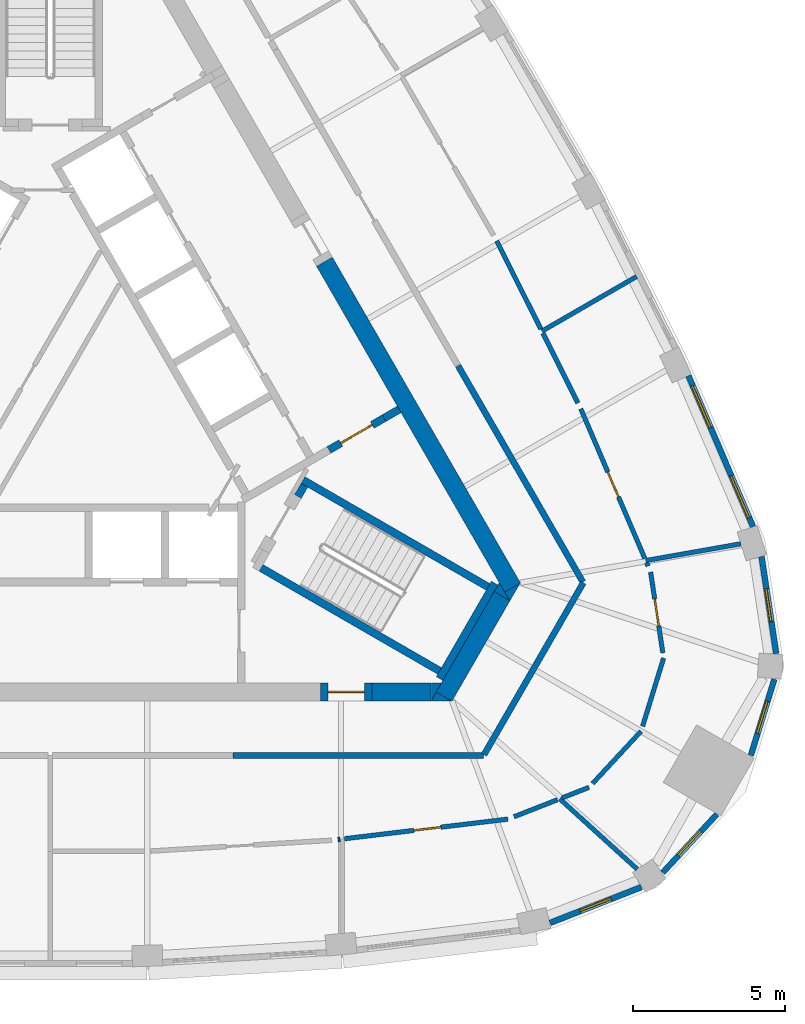
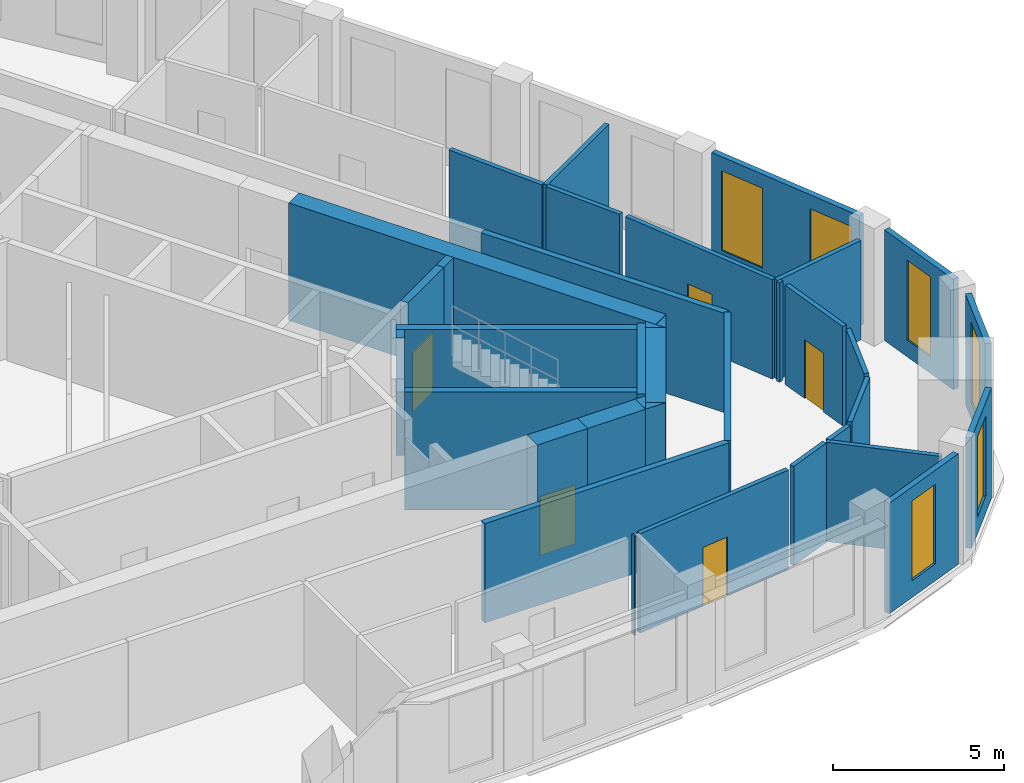
# One storey, part 7 of 10: 36 walls, 6 windows, 5 doors, 11 openings.
"""IFC4 building model written with IfcOpenShell, lengths in metres."""

from ifc_helpers import new_model, si_unit, direction, frame, frame_2d, origin, place, context, subcontext, project, spatial, polyline, rectangle, outline, extrude, material, layer, layer_set, type_object, element, fill, save


model = new_model("IFC4")

# Units and contexts
model_context = context("Model", 3, precision=1e-05, world=origin(), true_north=direction((0.0, 1.0)))
body_context = subcontext(model_context, "Body", "Model", "MODEL_VIEW")
ifc_project = project(units=[si_unit("LENGTHUNIT", "METRE"), si_unit("AREAUNIT", "SQUARE_METRE"), si_unit("VOLUMEUNIT", "CUBIC_METRE"), si_unit("PLANEANGLEUNIT", "RADIAN"), si_unit("MASSUNIT", "GRAM", prefix="KILO")], contexts=[model_context])

# Site, building, storey
site_placement = place(None, origin())
site = spatial("IfcSite", under=ifc_project, at=site_placement, CompositionType="ELEMENT")
building_placement = place(site_placement, origin())
building = spatial("IfcBuilding", under=site, at=building_placement, Name="Mestral Congress Tower", CompositionType="ELEMENT")
storey_placement = place(building_placement, frame((0.0, 0.0, 300.60009765625)))
storey = spatial("IfcBuildingStorey", under=building, at=storey_placement, Name="L70", CompositionType="ELEMENT", Elevation=300.60009765625)

# Walls
ifc_material_1 = material(Name="Concrete C60/75", Category="concrete")
ifc_layer_1 = layer(ifc_material_1, 0.60009765625)
ifc_layer_set_1 = layer_set([ifc_layer_1], Name="Concrete C60/75")
wall_type_1 = type_object("IfcWallType", Name="Core wall RC 600", PredefinedType="SOLIDWALL", material=ifc_layer_set_1)
wall_1_placement = place(storey_placement, frame((9.0419921875, 4.23876953125, 0.0), z_axis=(0.0, 0.0, 1.0), x_axis=(0.500005785455, -0.866022063525, 0.0)))
element("IfcWall", 1, at=wall_1_placement, inside=storey, type_object=wall_type_1, Name="L70 core wall", PredefinedType="SOLIDWALL", context=body_context, shape_type="SweptSolid", body=[
    extrude(rectangle(XDim=12.406494140625, YDim=0.60009765625, at=frame_2d((6.203125, 0.0))), origin(), (0.0, 0.0, 1.0), 4.199951171875),
])
placement = place(storey_placement, origin())
element("IfcWall", 2, at=placement, inside=storey, type_object=wall_type_1, Name="L70 core wall", PredefinedType="SOLIDWALL", context=body_context, shape_type="SweptSolid", body=[
    extrude(outline(polyline([(15.155517578125, -6.949951171875), (14.986572265625, -6.6572265625), (15.493408203125, -6.364501953125), (15.155517578125, -6.949951171875)])), origin(), (0.0, 0.0, 1.0), 4.199951171875),
])
wall_3_placement = place(storey_placement, frame((12.9873046875, -10.105712890625, 0.0), z_axis=(0.0, 0.0, 1.0), x_axis=(0.499950938802, 0.866053727428, 0.0)))
element("IfcWall", 3, at=wall_3_placement, inside=storey, type_object=wall_type_1, Name="L70 core wall", PredefinedType="SOLIDWALL", context=body_context, shape_type="SweptSolid", body=[
    extrude(rectangle(XDim=3.8232421875, YDim=0.60009765625, at=frame_2d((1.91162109375, 0.0))), origin(), (0.0, 0.0, 1.0), 4.199951171875),
])
element("IfcWall", 4, at=placement, inside=storey, type_object=wall_type_1, Name="L70 core wall", PredefinedType="SOLIDWALL", context=body_context, shape_type="SweptSolid", body=[
    extrude(outline(polyline([(12.726318359375, -9.957275390625), (13.2333984375, -10.25), (12.557373046875, -10.25), (12.726318359375, -9.957275390625)])), origin(), (0.0, 0.0, 1.0), 4.199951171875),
])
element("IfcWall", 5, at=placement, inside=storey, type_object=wall_type_1, Name="L70 core wall", PredefinedType="SOLIDWALL", context=body_context, shape_type="SweptSolid", body=[
    extrude(outline(polyline([(14.80908203125, -6.35009765625), (15.147216796875, -6.935791015625), (14.639892578125, -6.642822265625), (14.80908203125, -6.35009765625)])), origin(), (0.0, 0.0, 1.0), 4.199951171875),
])
wall_6_placement = place(storey_placement, frame((10.6044921875, -9.949951171875, 0.0), z_axis=(0.0, 0.0, 1.0), x_axis=(1.0, 0.0, 0.0)))
element("IfcWall", 6, at=wall_6_placement, inside=storey, type_object=wall_type_1, Name="L70 core wall", PredefinedType="SOLIDWALL", context=body_context, shape_type="SweptSolid", body=[
    extrude(rectangle(XDim=1.959228515625, YDim=0.60009765625, at=frame_2d((0.9794921875, 0.0))), origin(), (0.0, 0.0, 1.0), 4.199951171875),
])
element("IfcWall", 7, at=placement, inside=storey, type_object=wall_type_1, Name="L70 core wall", PredefinedType="SOLIDWALL", context=body_context, shape_type="SweptSolid", body=[
    extrude(outline(polyline([(12.90380859375, -9.64990234375), (12.56591796875, -10.235595703125), (12.56591796875, -9.64990234375), (12.90380859375, -9.64990234375)])), origin(), (0.0, 0.0, 1.0), 4.199951171875),
])

# Wall, opening, door
wall_8_placement = place(storey_placement, frame((10.6044921875, -9.949951171875, 0.0), z_axis=(0.0, 0.0, 1.0), x_axis=(-1.0, 0.0, 0.0)))
wall_8 = element("IfcWall", 8, at=wall_8_placement, inside=storey, type_object=wall_type_1, Name="L70 door wall", PredefinedType="SOLIDWALL", context=body_context, shape_type="SweptSolid", body=[
    extrude(rectangle(XDim=1.699951171875, YDim=0.60009765625, at=frame_2d((0.85009765625, 0.0))), origin(), (0.0, 0.0, 1.0), 4.199951171875),
])
opening_1_placement = place(wall_8_placement, frame((0.25, 0.0, 0.0)))
opening_1 = element("IfcOpeningElement", 9, at=opening_1_placement, cuts=wall_8, Name="Opening XD1", PredefinedType="OPENING", context=body_context, shape_type="SweptSolid", body=[
    extrude(rectangle(XDim=1.199951171875, YDim=2.10009765625, at=frame_2d((0.60009765625, 1.050048828125))), frame((0.0, 0.31005859375, 0.0), z_axis=(0.0, -1.0, 0.0), x_axis=(1.0, 0.0, 0.0)), (0.0, 0.0, 1.0), 0.6201171875),
])
ifc_material_2 = material(Name="Fire-rated steel door set", Category="steel")
door_type_1 = type_object("IfcDoorType", Name="Core door XD 1200x2100", OperationType="SINGLE_SWING_LEFT", PredefinedType="DOOR", material=ifc_material_2)
door_1_placement = place(opening_1_placement, origin())
door_1 = element("IfcDoor", 10, at=door_1_placement, inside=storey, type_object=door_type_1, Name="Door XD1", OperationType="SINGLE_SWING_LEFT", OverallHeight=2.10009765625, OverallWidth=1.199951171875, PredefinedType="DOOR", context=body_context, shape_type="SweptSolid", body=[
    extrude(rectangle(XDim=1.199951171875, YDim=2.10009765625, at=frame_2d((0.60009765625, 1.050048828125))), frame((0.0, 0.02490234375, 0.0), z_axis=(0.0, -1.0, 0.0), x_axis=(1.0, 0.0, 0.0)), (0.0, 0.0, 1.0), 0.050048828125),
])
fill(opening_1, door_1)

# Wall, opening, window
ifc_material_3 = material(Name="Precast concrete C40/50 with limestone facing", Category="masonry")
ifc_layer_2 = layer(ifc_material_3, 0.18994140625)
ifc_layer_set_2 = layer_set([ifc_layer_2], Name="Precast concrete C40/50 with limestone facing")
wall_type_2 = type_object("IfcWallType", Name="Facade stone wall 190", PredefinedType="SOLIDWALL", material=ifc_layer_set_2)
wall_9_placement = place(storey_placement, frame((16.48291015625, -17.572998046875, 0.0), z_axis=(0.0, 0.0, 1.0), x_axis=(0.93100888477, 0.364996515709, 0.0)))
wall_9 = element("IfcWall", 11, at=wall_9_placement, inside=storey, type_object=wall_type_2, Name="Facade wall K0-0", PredefinedType="SOLIDWALL", context=body_context, shape_type="SweptSolid", body=[
    extrude(rectangle(XDim=3.23681640625, YDim=0.18994140625, at=frame_2d((1.618408203125, 0.0))), origin(), (0.0, 0.0, 1.0), 3.949951171875),
])
opening_2_placement = place(wall_9_placement, frame((1.068359375, 0.0, 0.60009765625)))
opening_2 = element("IfcOpeningElement", 12, at=opening_2_placement, cuts=wall_9, Name="Opening W7", PredefinedType="OPENING", context=body_context, shape_type="SweptSolid", body=[
    extrude(rectangle(XDim=1.10009765625, YDim=2.85009765625, at=frame_2d((0.550048828125, 1.425048828125))), frame((0.0, 0.10498046875, 0.0), z_axis=(0.0, -1.0, 0.0), x_axis=(1.0, 0.0, 0.0)), (0.0, 0.0, 1.0), 0.2099609375),
])
ifc_material_4 = material(Name="Clear low-emissivity double glazing", Category="glass")
window_type_1 = type_object("IfcWindowType", Name="Facade punched window 1100 x 2850 sill 600", PartitioningType="SINGLE_PANEL", PredefinedType="WINDOW", material=ifc_material_4)
window_1_placement = place(opening_2_placement, origin())
window_1 = element("IfcWindow", 13, at=window_1_placement, inside=storey, type_object=window_type_1, Name="Window K0-0", OverallHeight=2.85009765625, OverallWidth=1.10009765625, PartitioningType="SINGLE_PANEL", PredefinedType="WINDOW", context=body_context, shape_type="SweptSolid", body=[
    extrude(rectangle(XDim=1.10009765625, YDim=2.85009765625, at=frame_2d((0.550048828125, 1.425048828125))), frame((0.0, 0.044921875, 0.0), z_axis=(0.0, -1.0, 0.0), x_axis=(1.0, 0.0, 0.0)), (0.0, 0.0, 1.0), 0.06005859375),
])
fill(opening_2, window_1)

wall_10_placement = place(storey_placement, frame((20.197998046875, -15.91357421875, 0.0), z_axis=(0.0, 0.0, 1.0), x_axis=(0.680219354823, 0.733008614768, 0.0)))
wall_10 = element("IfcWall", 14, at=wall_10_placement, inside=storey, type_object=wall_type_2, Name="Facade wall K0-1", PredefinedType="SOLIDWALL", context=body_context, shape_type="SweptSolid", body=[
    extrude(rectangle(XDim=2.626953125, YDim=0.18994140625, at=frame_2d((1.3134765625, 0.0))), origin(), (0.0, 0.0, 1.0), 3.949951171875),
])
opening_3_placement = place(wall_10_placement, frame((0.763427734375, 0.0, 0.60009765625)))
opening_3 = element("IfcOpeningElement", 15, at=opening_3_placement, cuts=wall_10, Name="Opening W7", PredefinedType="OPENING", context=body_context, shape_type="SweptSolid", body=[
    extrude(rectangle(XDim=1.10009765625, YDim=2.85009765625, at=frame_2d((0.550048828125, 1.425048828125))), frame((0.0, 0.10498046875, 0.0), z_axis=(0.0, -1.0, 0.0), x_axis=(1.0, 0.0, 0.0)), (0.0, 0.0, 1.0), 0.2099609375),
])
window_2_placement = place(opening_3_placement, origin())
window_2 = element("IfcWindow", 16, at=window_2_placement, inside=storey, type_object=window_type_1, Name="Window K0-1", OverallHeight=2.85009765625, OverallWidth=1.10009765625, PartitioningType="SINGLE_PANEL", PredefinedType="WINDOW", context=body_context, shape_type="SweptSolid", body=[
    extrude(rectangle(XDim=1.10009765625, YDim=2.85009765625, at=frame_2d((0.550048828125, 1.425048828125))), frame((0.0, 0.044921875, 0.0), z_axis=(0.0, -1.0, 0.0), x_axis=(1.0, 0.0, 0.0)), (0.0, 0.0, 1.0), 0.06005859375),
])
fill(opening_3, window_2)

wall_11_placement = place(storey_placement, frame((23.1064453125, -12.04541015625, 0.0), z_axis=(0.0, 0.0, 1.0), x_axis=(0.294706210429, 0.9555879078, 0.0)))
wall_11 = element("IfcWall", 17, at=wall_11_placement, inside=storey, type_object=wall_type_2, Name="Facade wall K0-2", PredefinedType="SOLIDWALL", context=body_context, shape_type="SweptSolid", body=[
    extrude(rectangle(XDim=2.626953125, YDim=0.18994140625, at=frame_2d((1.3134765625, 0.0))), origin(), (0.0, 0.0, 1.0), 3.949951171875),
])
opening_4_placement = place(wall_11_placement, frame((0.763427734375, 0.0, 0.60009765625)))
opening_4 = element("IfcOpeningElement", 18, at=opening_4_placement, cuts=wall_11, Name="Opening W7", PredefinedType="OPENING", context=body_context, shape_type="SweptSolid", body=[
    extrude(rectangle(XDim=1.10009765625, YDim=2.85009765625, at=frame_2d((0.550048828125, 1.425048828125))), frame((0.0, 0.10498046875, 0.0), z_axis=(0.0, -1.0, 0.0), x_axis=(1.0, 0.0, 0.0)), (0.0, 0.0, 1.0), 0.2099609375),
])
window_3_placement = place(opening_4_placement, origin())
window_3 = element("IfcWindow", 19, at=window_3_placement, inside=storey, type_object=window_type_1, Name="Window K0-2", OverallHeight=2.85009765625, OverallWidth=1.10009765625, PartitioningType="SINGLE_PANEL", PredefinedType="WINDOW", context=body_context, shape_type="SweptSolid", body=[
    extrude(rectangle(XDim=1.10009765625, YDim=2.85009765625, at=frame_2d((0.550048828125, 1.425048828125))), frame((0.0, 0.044921875, 0.0), z_axis=(0.0, -1.0, 0.0), x_axis=(1.0, 0.0, 0.0)), (0.0, 0.0, 1.0), 0.06005859375),
])
fill(opening_4, window_3)

wall_12_placement = place(storey_placement, frame((23.94384765625, -8.6884765625, 0.0), z_axis=(0.0, 0.0, 1.0), x_axis=(-0.149421055602, 0.988773658702, 0.0)))
wall_12 = element("IfcWall", 20, at=wall_12_placement, inside=storey, type_object=wall_type_2, Name="Facade wall K0-3", PredefinedType="SOLIDWALL", context=body_context, shape_type="SweptSolid", body=[
    extrude(rectangle(XDim=3.23681640625, YDim=0.18994140625, at=frame_2d((1.618408203125, 0.0))), origin(), (0.0, 0.0, 1.0), 3.949951171875),
])
opening_5_placement = place(wall_12_placement, frame((1.068359375, 0.0, 0.60009765625)))
opening_5 = element("IfcOpeningElement", 21, at=opening_5_placement, cuts=wall_12, Name="Opening W7", PredefinedType="OPENING", context=body_context, shape_type="SweptSolid", body=[
    extrude(rectangle(XDim=1.10009765625, YDim=2.85009765625, at=frame_2d((0.550048828125, 1.425048828125))), frame((0.0, 0.10498046875, 0.0), z_axis=(0.0, -1.0, 0.0), x_axis=(1.0, 0.0, 0.0)), (0.0, 0.0, 1.0), 0.2099609375),
])
window_4_placement = place(opening_5_placement, origin())
window_4 = element("IfcWindow", 22, at=window_4_placement, inside=storey, type_object=window_type_1, Name="Window K0-3", OverallHeight=2.85009765625, OverallWidth=1.10009765625, PartitioningType="SINGLE_PANEL", PredefinedType="WINDOW", context=body_context, shape_type="SweptSolid", body=[
    extrude(rectangle(XDim=1.10009765625, YDim=2.85009765625, at=frame_2d((0.550048828125, 1.425048828125))), frame((0.0, 0.044921875, 0.0), z_axis=(0.0, -1.0, 0.0), x_axis=(1.0, 0.0, 0.0)), (0.0, 0.0, 1.0), 0.06005859375),
])
fill(opening_5, window_4)

# Wall, openings, windows
wall_13_placement = place(storey_placement, frame((23.1787109375, -4.50048828125, 0.0), z_axis=(0.0, 0.0, 1.0), x_axis=(-0.393347848476, 0.919389726992, 0.0)))
wall_13 = element("IfcWall", 23, at=wall_13_placement, inside=storey, type_object=wall_type_2, Name="Facade wall F1-00", PredefinedType="SOLIDWALL", context=body_context, shape_type="SweptSolid", body=[
    extrude(rectangle(XDim=5.414794921875, YDim=0.18994140625, at=frame_2d((2.70751953125, 0.0))), origin(), (0.0, 0.0, 1.0), 3.949951171875),
])
opening_6_placement = place(wall_13_placement, frame((0.322509765625, 0.0, 0.60009765625)))
opening_6 = element("IfcOpeningElement", 24, at=opening_6_placement, cuts=wall_13, Name="Opening W6", PredefinedType="OPENING", context=body_context, shape_type="SweptSolid", body=[
    extrude(rectangle(XDim=1.5, YDim=2.85009765625, at=frame_2d((0.75, 1.425048828125))), frame((0.0, 0.10498046875, 0.0), z_axis=(0.0, -1.0, 0.0), x_axis=(1.0, 0.0, 0.0)), (0.0, 0.0, 1.0), 0.2099609375),
])
opening_7_placement = place(wall_13_placement, frame((3.5576171875, 0.0, 0.60009765625)))
opening_7 = element("IfcOpeningElement", 25, at=opening_7_placement, cuts=wall_13, Name="Opening W6", PredefinedType="OPENING", context=body_context, shape_type="SweptSolid", body=[
    extrude(rectangle(XDim=1.5, YDim=2.85009765625, at=frame_2d((0.75, 1.425048828125))), frame((0.0, 0.10498046875, 0.0), z_axis=(0.0, -1.0, 0.0), x_axis=(1.0, 0.0, 0.0)), (0.0, 0.0, 1.0), 0.2099609375),
])
window_type_2 = type_object("IfcWindowType", Name="Facade punched window 1500 x 2850 sill 600", PartitioningType="SINGLE_PANEL", PredefinedType="WINDOW", material=ifc_material_4)
window_5_placement = place(opening_6_placement, origin())
window_5 = element("IfcWindow", 26, at=window_5_placement, inside=storey, type_object=window_type_2, Name="Window F1-00a", OverallHeight=2.85009765625, OverallWidth=1.5, PartitioningType="SINGLE_PANEL", PredefinedType="WINDOW", context=body_context, shape_type="SweptSolid", body=[
    extrude(rectangle(XDim=1.5, YDim=2.85009765625, at=frame_2d((0.75, 1.425048828125))), frame((0.0, 0.044921875, 0.0), z_axis=(0.0, -1.0, 0.0), x_axis=(1.0, 0.0, 0.0)), (0.0, 0.0, 1.0), 0.06005859375),
])
fill(opening_6, window_5)
window_6_placement = place(opening_7_placement, origin())
window_6 = element("IfcWindow", 27, at=window_6_placement, inside=storey, type_object=window_type_2, Name="Window F1-00b", OverallHeight=2.85009765625, OverallWidth=1.5, PartitioningType="SINGLE_PANEL", PredefinedType="WINDOW", context=body_context, shape_type="SweptSolid", body=[
    extrude(rectangle(XDim=1.5, YDim=2.85009765625, at=frame_2d((0.75, 1.425048828125))), frame((0.0, 0.044921875, 0.0), z_axis=(0.0, -1.0, 0.0), x_axis=(1.0, 0.0, 0.0)), (0.0, 0.0, 1.0), 0.06005859375),
])
fill(opening_7, window_6)

# Walls
ifc_material_5 = material(Name="Plasterboard partition on steel studs", Category="steel")
ifc_layer_3 = layer(ifc_material_5, 0.14990234375)
ifc_layer_set_3 = layer_set([ifc_layer_3], Name="Plasterboard partition on steel studs")
wall_type_3 = type_object("IfcWallType", Name="Office partition 150", PredefinedType="PARTITIONING", material=ifc_layer_set_3)
wall_14_placement = place(storey_placement, frame((9.492431640625, -14.8203125, 0.0), z_axis=(0.0, 0.0, 1.0), x_axis=(0.993123019804, 0.117075477944, 0.0)))
element("IfcWall", 28, at=wall_14_placement, inside=storey, type_object=wall_type_3, Name="Partition", PredefinedType="PARTITIONING", context=body_context, shape_type="SweptSolid", body=[
    extrude(rectangle(XDim=0.060546875, YDim=0.14990234375, at=frame_2d((0.0302734375, 0.0))), origin(), (0.0, 0.0, 1.0), 3.5498046875),
])
wall_15_placement = place(storey_placement, frame((16.802734375, -13.47900390625, 0.0), z_axis=(0.0, 0.0, 1.0), x_axis=(0.740052004703, -0.672549648974, 0.0)))
element("IfcWall", 29, at=wall_15_placement, inside=storey, type_object=wall_type_3, Name="Partition", PredefinedType="PARTITIONING", context=body_context, shape_type="SweptSolid", body=[
    extrude(rectangle(XDim=3.4541015625, YDim=0.14990234375, at=frame_2d((1.72705078125, 0.0))), origin(), (0.0, 0.0, 1.0), 3.5498046875),
])

# Wall, opening, door
wall_16_placement = place(storey_placement, frame((15.094482421875, -14.148681640625, 0.0), z_axis=(0.0, 0.0, 1.0), x_axis=(-0.992889171133, -0.119042403566, 0.0)))
wall_16 = element("IfcWall", 30, at=wall_16_placement, inside=storey, type_object=wall_type_3, Name="Partition", PredefinedType="PARTITIONING", context=body_context, shape_type="SweptSolid", body=[
    extrude(rectangle(XDim=5.4306640625, YDim=0.14990234375, at=frame_2d((2.71533203125, 0.0))), origin(), (0.0, 0.0, 1.0), 3.5498046875),
])
opening_8_placement = place(wall_16_placement, frame((2.230712890625, 0.0, 0.0)))
opening_8 = element("IfcOpeningElement", 31, at=opening_8_placement, cuts=wall_16, Name="Opening O13-003", PredefinedType="OPENING", context=body_context, shape_type="SweptSolid", body=[
    extrude(rectangle(XDim=0.89990234375, YDim=2.10009765625, at=frame_2d((0.449951171875, 1.050048828125))), frame((0.0, 0.0849609375, 0.0), z_axis=(0.0, -1.0, 0.0), x_axis=(1.0, 0.0, 0.0)), (0.0, 0.0, 1.0), 0.169921875),
])
ifc_material_6 = material(Name="Timber door set", Category="wood")
door_type_2 = type_object("IfcDoorType", Name="Office door 900x2100", OperationType="SINGLE_SWING_LEFT", PredefinedType="DOOR", material=ifc_material_6)
door_2_placement = place(opening_8_placement, origin())
door_2 = element("IfcDoor", 32, at=door_2_placement, inside=storey, type_object=door_type_2, Name="Door O13-003", OperationType="SINGLE_SWING_LEFT", OverallHeight=2.10009765625, OverallWidth=0.89990234375, PredefinedType="DOOR", context=body_context, shape_type="SweptSolid", body=[
    extrude(rectangle(XDim=0.89990234375, YDim=2.10009765625, at=frame_2d((0.449951171875, 1.050048828125))), frame((0.0, 0.02490234375, 0.0), z_axis=(0.0, -1.0, 0.0), x_axis=(1.0, 0.0, 0.0)), (0.0, 0.0, 1.0), 0.050048828125),
])
fill(opening_8, door_2)

# Walls
wall_17_placement = place(storey_placement, frame((15.2939453125, -14.070556640625, 0.0), z_axis=(0.0, 0.0, 1.0), x_axis=(0.930996486245, 0.365028139463, 0.0)))
element("IfcWall", 33, at=wall_17_placement, inside=storey, type_object=wall_type_3, Name="Partition", PredefinedType="PARTITIONING", context=body_context, shape_type="SweptSolid", body=[
    extrude(rectangle(XDim=1.536865234375, YDim=0.14990234375, at=frame_2d((0.7685546875, 0.0))), origin(), (0.0, 0.0, 1.0), 3.5498046875),
])
wall_18_placement = place(storey_placement, frame((19.638671875, -5.61962890625, 0.0), z_axis=(0.0, 0.0, 1.0), x_axis=(0.984765028635, 0.173890305586, 0.0)))
element("IfcWall", 34, at=wall_18_placement, inside=storey, type_object=wall_type_3, Name="Partition", PredefinedType="PARTITIONING", context=body_context, shape_type="SweptSolid", body=[
    extrude(rectangle(XDim=3.184326171875, YDim=0.14990234375, at=frame_2d((1.59228515625, 0.0))), origin(), (0.0, 0.0, 1.0), 3.5498046875),
])
wall_19_placement = place(storey_placement, frame((16.880615234375, -13.448486328125, 0.0), z_axis=(0.0, 0.0, 1.0), x_axis=(0.930913400557, 0.365239976815, 0.0)))
element("IfcWall", 35, at=wall_19_placement, inside=storey, type_object=wall_type_3, Name="Partition", PredefinedType="PARTITIONING", context=body_context, shape_type="SweptSolid", body=[
    extrude(rectangle(XDim=0.95263671875, YDim=0.14990234375, at=frame_2d((0.476318359375, 0.0))), origin(), (0.0, 0.0, 1.0), 3.5498046875),
])
wall_20_placement = place(storey_placement, frame((17.885009765625, -12.97412109375, 0.0), z_axis=(0.0, 0.0, 1.0), x_axis=(0.680200271904, 0.733026322926, 0.0)))
element("IfcWall", 36, at=wall_20_placement, inside=storey, type_object=wall_type_3, Name="Partition", PredefinedType="PARTITIONING", context=body_context, shape_type="SweptSolid", body=[
    extrude(rectangle(XDim=2.352294921875, YDim=0.14990234375, at=frame_2d((1.17626953125, 0.0))), origin(), (0.0, 0.0, 1.0), 3.5498046875),
])
wall_21_placement = place(storey_placement, frame((19.5361328125, -11.084716796875, 0.0), z_axis=(0.0, 0.0, 1.0), x_axis=(0.294632751805, 0.955610559571, 0.0)))
element("IfcWall", 37, at=wall_21_placement, inside=storey, type_object=wall_type_3, Name="Partition", PredefinedType="PARTITIONING", context=body_context, shape_type="SweptSolid", body=[
    extrude(rectangle(XDim=2.3525390625, YDim=0.14990234375, at=frame_2d((1.17626953125, 0.0))), origin(), (0.0, 0.0, 1.0), 3.5498046875),
])

# Wall, opening, door
wall_22_placement = place(storey_placement, frame((19.80029296875, -5.997802734375, 0.0), z_axis=(0.0, 0.0, 1.0), x_axis=(0.149384554916, -0.988779173907, 0.0)))
wall_22 = element("IfcWall", 38, at=wall_22_placement, inside=storey, type_object=wall_type_3, Name="Partition", PredefinedType="PARTITIONING", context=body_context, shape_type="SweptSolid", body=[
    extrude(rectangle(XDim=2.6982421875, YDim=0.14990234375, at=frame_2d((1.34912109375, 0.0))), origin(), (0.0, 0.0, 1.0), 3.5498046875),
])
opening_9_placement = place(wall_22_placement, frame((0.898193359375, 0.0, 0.0)))
opening_9 = element("IfcOpeningElement", 39, at=opening_9_placement, cuts=wall_22, Name="Opening O13-004", PredefinedType="OPENING", context=body_context, shape_type="SweptSolid", body=[
    extrude(rectangle(XDim=0.89990234375, YDim=2.10009765625, at=frame_2d((0.449951171875, 1.050048828125))), frame((0.0, 0.0849609375, 0.0), z_axis=(0.0, -1.0, 0.0), x_axis=(1.0, 0.0, 0.0)), (0.0, 0.0, 1.0), 0.169921875),
])
door_3_placement = place(opening_9_placement, origin())
door_3 = element("IfcDoor", 40, at=door_3_placement, inside=storey, type_object=door_type_2, Name="Door O13-004", OperationType="SINGLE_SWING_LEFT", OverallHeight=2.10009765625, OverallWidth=0.89990234375, PredefinedType="DOOR", context=body_context, shape_type="SweptSolid", body=[
    extrude(rectangle(XDim=0.89990234375, YDim=2.10009765625, at=frame_2d((0.449951171875, 1.050048828125))), frame((0.0, 0.02490234375, 0.0), z_axis=(0.0, -1.0, 0.0), x_axis=(1.0, 0.0, 0.0)), (0.0, 0.0, 1.0), 0.050048828125),
])
fill(opening_9, door_3)

# Walls
wall_23_placement = place(storey_placement, frame((19.716064453125, -5.80078125, 0.0), z_axis=(0.0, 0.0, 1.0), x_axis=(-0.394409976498, 0.918934584418, 0.0)))
element("IfcWall", 41, at=wall_23_placement, inside=storey, type_object=wall_type_3, Name="Partition", PredefinedType="PARTITIONING", context=body_context, shape_type="SweptSolid", body=[
    extrude(rectangle(XDim=0.1201171875, YDim=0.14990234375, at=frame_2d((0.06005859375, 0.0))), origin(), (0.0, 0.0, 1.0), 3.5498046875),
])
wall_24_placement = place(storey_placement, frame((16.21484375, 1.9482421875, 0.0), z_axis=(0.0, 0.0, 1.0), x_axis=(0.866026634742, 0.499997867913, 0.0)))
element("IfcWall", 42, at=wall_24_placement, inside=storey, type_object=wall_type_3, Name="Partition", PredefinedType="PARTITIONING", context=body_context, shape_type="SweptSolid", body=[
    extrude(rectangle(XDim=3.6064453125, YDim=0.14990234375, at=frame_2d((1.80322265625, 0.0))), origin(), (0.0, 0.0, 1.0), 3.5498046875),
])

# Wall, opening, door
wall_25_placement = place(storey_placement, frame((17.49658203125, -0.61328125, 0.0), z_axis=(0.0, 0.0, 1.0), x_axis=(0.393381340755, -0.919375397075, 0.0)))
wall_25 = element("IfcWall", 43, at=wall_25_placement, inside=storey, type_object=wall_type_3, Name="Partition", PredefinedType="PARTITIONING", context=body_context, shape_type="SweptSolid", body=[
    extrude(rectangle(XDim=5.368408203125, YDim=0.14990234375, at=frame_2d((2.68408203125, 0.0))), origin(), (0.0, 0.0, 1.0), 3.5498046875),
])
opening_10_placement = place(wall_25_placement, frame((2.26806640625, 0.0, 0.0)))
opening_10 = element("IfcOpeningElement", 44, at=opening_10_placement, cuts=wall_25, Name="Opening O13-005", PredefinedType="OPENING", context=body_context, shape_type="SweptSolid", body=[
    extrude(rectangle(XDim=0.89990234375, YDim=2.10009765625, at=frame_2d((0.449951171875, 1.050048828125))), frame((0.0, 0.0849609375, 0.0), z_axis=(0.0, -1.0, 0.0), x_axis=(1.0, 0.0, 0.0)), (0.0, 0.0, 1.0), 0.169921875),
])
door_4_placement = place(opening_10_placement, origin())
door_4 = element("IfcDoor", 45, at=door_4_placement, inside=storey, type_object=door_type_2, Name="Door O13-005", OperationType="SINGLE_SWING_RIGHT", OverallHeight=2.10009765625, OverallWidth=0.89990234375, PredefinedType="DOOR", context=body_context, shape_type="SweptSolid", body=[
    extrude(rectangle(XDim=0.89990234375, YDim=2.10009765625, at=frame_2d((0.449951171875, 1.050048828125))), frame((0.0, 0.02490234375, 0.0), z_axis=(0.0, -1.0, 0.0), x_axis=(1.0, 0.0, 0.0)), (0.0, 0.0, 1.0), 0.050048828125),
])
fill(opening_10, door_4)

# Walls
wall_26_placement = place(storey_placement, frame((17.40087890625, -0.421875, 0.0), z_axis=(0.0, 0.0, 1.0), x_axis=(-0.447479029466, 0.894294424778, 0.0)))
element("IfcWall", 46, at=wall_26_placement, inside=storey, type_object=wall_type_3, Name="Partition", PredefinedType="PARTITIONING", context=body_context, shape_type="SweptSolid", body=[
    extrude(rectangle(XDim=2.5751953125, YDim=0.14990234375, at=frame_2d((1.28759765625, 0.0))), origin(), (0.0, 0.0, 1.0), 3.5498046875),
])
wall_27_placement = place(storey_placement, frame((16.181396484375, 2.015380859375, 0.0), z_axis=(0.0, 0.0, 1.0), x_axis=(-0.447513663313, 0.894277094165, 0.0)))
element("IfcWall", 47, at=wall_27_placement, inside=storey, type_object=wall_type_3, Name="Partition", PredefinedType="PARTITIONING", context=body_context, shape_type="SweptSolid", body=[
    extrude(rectangle(XDim=3.254150390625, YDim=0.14990234375, at=frame_2d((1.626953125, 0.0))), origin(), (0.0, 0.0, 1.0), 3.5498046875),
])
ifc_material_7 = material(Name="Dense masonry wall, plastered", Category="masonry")
ifc_layer_4 = layer(ifc_material_7, 0.199951171875)
ifc_layer_set_4 = layer_set([ifc_layer_4], Name="Dense masonry wall, plastered")
wall_type_4 = type_object("IfcWallType", Name="Office tenancy wall 200", PredefinedType="PARTITIONING", material=ifc_layer_set_4)
wall_28_placement = place(storey_placement, frame((6.030029296875, -12.050048828125, 0.0), z_axis=(0.0, 0.0, 1.0), x_axis=(1.0, 0.0, 0.0)))
element("IfcWall", 48, at=wall_28_placement, inside=storey, type_object=wall_type_4, Name="Tenancy wall", PredefinedType="PARTITIONING", context=body_context, shape_type="SweptSolid", body=[
    extrude(rectangle(XDim=8.25927734375, YDim=0.199951171875, at=frame_2d((4.129638671875, 0.0))), origin(), (0.0, 0.0, 1.0), 3.5498046875),
])
wall_29_placement = place(storey_placement, frame((14.304443359375, -12.02392578125, 0.0), z_axis=(0.0, 0.0, 1.0), x_axis=(0.500010613097, 0.866019276224, 0.0)))
element("IfcWall", 49, at=wall_29_placement, inside=storey, type_object=wall_type_4, Name="Tenancy wall", PredefinedType="PARTITIONING", context=body_context, shape_type="SweptSolid", body=[
    extrude(rectangle(XDim=6.551513671875, YDim=0.199951171875, at=frame_2d((3.27587890625, 0.0))), origin(), (0.0, 0.0, 1.0), 3.5498046875),
])
wall_30_placement = place(storey_placement, frame((17.565185546875, -6.323974609375, 0.0), z_axis=(0.0, 0.0, 1.0), x_axis=(-0.499977548053, 0.866038366034, 0.0)))
element("IfcWall", 50, at=wall_30_placement, inside=storey, type_object=wall_type_4, Name="Tenancy wall", PredefinedType="PARTITIONING", context=body_context, shape_type="SweptSolid", body=[
    extrude(rectangle(XDim=8.2294921875, YDim=0.199951171875, at=frame_2d((4.11474609375, 0.0))), origin(), (0.0, 0.0, 1.0), 3.5498046875),
])
ifc_layer_5 = layer(ifc_material_1, 0.25)
ifc_layer_set_5 = layer_set([ifc_layer_5], Name="Concrete C60/75")
wall_type_5 = type_object("IfcWallType", Name="Shaft wall RC 250", PredefinedType="SOLIDWALL", material=ifc_layer_set_5)
wall_31_placement = place(storey_placement, frame((11.507080078125, -0.631103515625, 0.0), z_axis=(0.0, 0.0, 1.0), x_axis=(-0.866093731455, -0.499881634324, 0.0)))
element("IfcWall", 51, at=wall_31_placement, inside=storey, type_object=wall_type_5, Name="L70 core wall", PredefinedType="SOLIDWALL", context=body_context, shape_type="SweptSolid", body=[
    extrude(rectangle(XDim=0.575439453125, YDim=0.25, at=frame_2d((0.28759765625, 0.0))), origin(), (0.0, 0.0, 1.0), 4.199951171875),
])

# Wall, opening, door
wall_32_placement = place(storey_placement, frame((11.0087890625, -0.918701171875, 0.0), z_axis=(0.0, 0.0, 1.0), x_axis=(-0.866059744384, -0.49994051562, 0.0)))
wall_32 = element("IfcWall", 52, at=wall_32_placement, inside=storey, type_object=wall_type_5, Name="L70 door wall", PredefinedType="SOLIDWALL", context=body_context, shape_type="SweptSolid", body=[
    extrude(rectangle(XDim=2.099853515625, YDim=0.25, at=frame_2d((1.0498046875, 0.0))), origin(), (0.0, 0.0, 1.0), 4.199951171875),
])
opening_11_placement = place(wall_32_placement, frame((0.449951171875, 0.0, 0.0)))
opening_11 = element("IfcOpeningElement", 53, at=opening_11_placement, cuts=wall_32, Name="Opening LB1-PX10", PredefinedType="OPENING", context=body_context, shape_type="SweptSolid", body=[
    extrude(rectangle(XDim=1.199951171875, YDim=2.10009765625, at=frame_2d((0.60009765625, 1.050048828125))), frame((0.0, 0.135009765625, 0.0), z_axis=(0.0, -1.0, 0.0), x_axis=(1.0, 0.0, 0.0)), (0.0, 0.0, 1.0), 0.27001953125),
])
door_type_3 = type_object("IfcDoorType", Name="Core door LB 1200x2100", OperationType="SINGLE_SWING_LEFT", PredefinedType="DOOR", material=ifc_material_2)
door_5_placement = place(opening_11_placement, origin())
door_5 = element("IfcDoor", 54, at=door_5_placement, inside=storey, type_object=door_type_3, Name="Door LB1-PX10", OperationType="SINGLE_SWING_LEFT", OverallHeight=2.10009765625, OverallWidth=1.199951171875, PredefinedType="DOOR", context=body_context, shape_type="SweptSolid", body=[
    extrude(rectangle(XDim=1.199951171875, YDim=2.10009765625, at=frame_2d((0.60009765625, 1.050048828125))), frame((0.0, 0.02490234375, 0.0), z_axis=(0.0, -1.0, 0.0), x_axis=(1.0, 0.0, 0.0)), (0.0, 0.0, 1.0), 0.050048828125),
])
fill(opening_11, door_5)

# Walls
ifc_layer_6 = layer(ifc_material_1, 0.25)
ifc_layer_set_6 = layer_set([ifc_layer_6], Name="Concrete C60/75")
wall_type_6 = type_object("IfcWallType", Name="Stair wall RC 250", PredefinedType="SOLIDWALL", material=ifc_layer_set_6)
wall_33_placement = place(storey_placement, frame((12.839599609375, -9.510986328125, 0.0), z_axis=(0.0, 0.0, 1.0), x_axis=(0.500048121057, 0.865997619297, 0.0)))
element("IfcWall", 55, at=wall_33_placement, inside=storey, type_object=wall_type_6, Name="L70 core wall", PredefinedType="SOLIDWALL", context=body_context, shape_type="SweptSolid", body=[
    extrude(rectangle(XDim=3.634033203125, YDim=0.25, at=frame_2d((1.81689453125, 0.0))), origin(), (0.0, 0.0, 1.0), 4.199951171875),
])
wall_34_placement = place(storey_placement, frame((12.83984375, -9.2607421875, 0.0), z_axis=(0.0, 0.0, 1.0), x_axis=(-0.866013990052, 0.500019768644, 0.0)))
element("IfcWall", 56, at=wall_34_placement, inside=storey, type_object=wall_type_6, Name="L70 core wall", PredefinedType="SOLIDWALL", context=body_context, shape_type="SweptSolid", body=[
    extrude(rectangle(XDim=6.800048828125, YDim=0.25, at=frame_2d((3.39990234375, 0.0))), origin(), (0.0, 0.0, 1.0), 4.199951171875),
])
wall_35_placement = place(storey_placement, frame((8.33447265625, -2.96435546875, 0.0), z_axis=(0.0, 0.0, 1.0), x_axis=(0.866016039709, -0.500016218704, 0.0)))
element("IfcWall", 57, at=wall_35_placement, inside=storey, type_object=wall_type_6, Name="L70 core wall", PredefinedType="SOLIDWALL", context=body_context, shape_type="SweptSolid", body=[
    extrude(rectangle(XDim=7.050048828125, YDim=0.25, at=frame_2d((3.52490234375, 0.0))), origin(), (0.0, 0.0, 1.0), 4.199951171875),
])
wall_36_placement = place(storey_placement, frame((8.167724609375, -3.503173828125, 0.0), z_axis=(0.0, 0.0, 1.0), x_axis=(0.49972245349, 0.866185586049, 0.0)))
element("IfcWall", 58, at=wall_36_placement, inside=storey, type_object=wall_type_6, Name="L70 core wall", PredefinedType="SOLIDWALL", context=body_context, shape_type="SweptSolid", body=[
    extrude(rectangle(XDim=0.425048828125, YDim=0.25, at=frame_2d((0.21240234375, 0.0))), origin(), (0.0, 0.0, 1.0), 4.199951171875),
])

save(model, "model.ifc")
